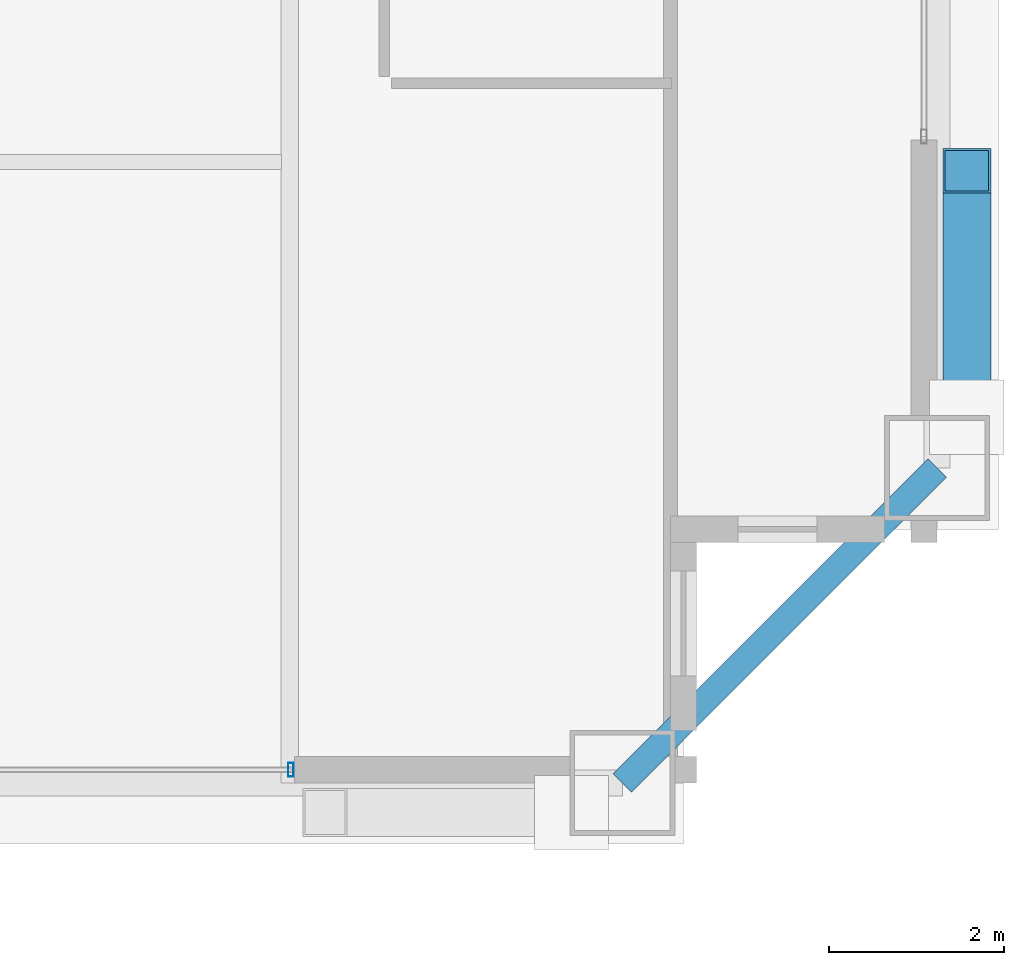
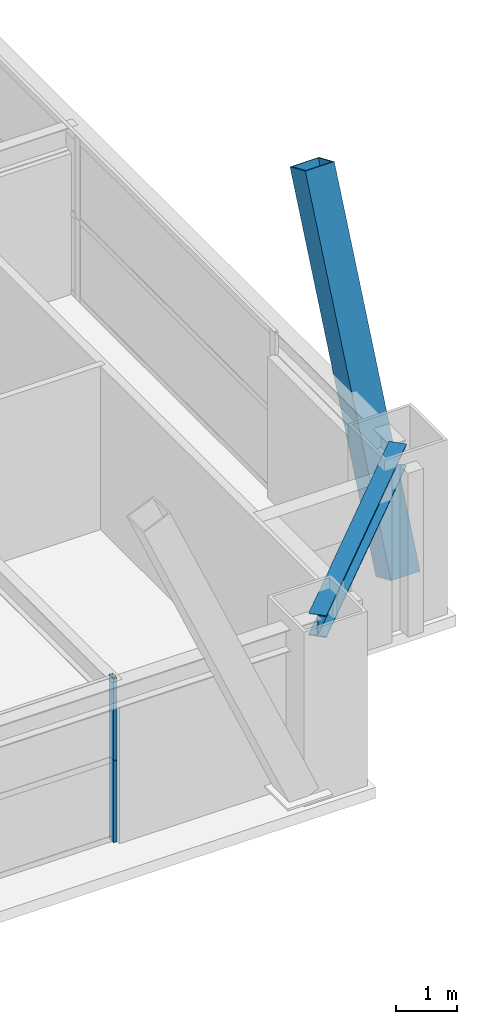
# One storey, part 13 of 34: 3 members, 1 beam, 1 element without a shape of its own.
"""IFC4 building model written with IfcOpenShell, lengths in metres."""

from ifc_helpers import new_model, si_unit, direction, frame, origin, origin_2d, place, context, subcontext, project, spatial, hollow_rectangle, i_section, extrude, source, transform, mapped, material, layer, layer_set, material_profile, profile_set, type_object, element, aggregate, save


model = new_model("IFC4")

# Units and contexts
model_context = context("Model", 3, precision=1e-05, world=origin(), true_north=direction((0.0, 1.0)))
body_context = subcontext(model_context, "Body", "Model", "MODEL_VIEW")
ifc_project = project(units=[si_unit("LENGTHUNIT", "METRE"), si_unit("AREAUNIT", "SQUARE_METRE"), si_unit("VOLUMEUNIT", "CUBIC_METRE"), si_unit("PLANEANGLEUNIT", "RADIAN"), si_unit("MASSUNIT", "GRAM", prefix="KILO"), si_unit("THERMODYNAMICTEMPERATUREUNIT", "KELVIN"), si_unit("POWERUNIT", "WATT")], contexts=[model_context])

# Site, building, storey
site_placement = place(None, origin())
site = spatial("IfcSite", under=ifc_project, at=site_placement, CompositionType="ELEMENT")
building_placement = place(site_placement, origin())
building = spatial("IfcBuilding", under=site, at=building_placement, Name="Yuzanri Waterfront Tower", CompositionType="ELEMENT")
storey_placement = place(building_placement, frame((0.0, 0.0, 241.60009765625)))
storey = spatial("IfcBuildingStorey", under=building, at=storey_placement, Name="L64", CompositionType="ELEMENT", Elevation=241.60009765625)

# Beam
ifc_material_1 = material(Name="Steel Q355B", Category="steel")
ifc_material_profile_1 = material_profile(ifc_material_1, i_section(OverallWidth=0.300048828125, OverallDepth=0.43994140625, WebThickness=0.010986328125, FlangeThickness=0.01806640625, at=origin_2d()), Name="HM 440x300x11x18")
ifc_profile_set_1 = profile_set([ifc_material_profile_1], Name="Steel Q355B")
beam_type = type_object("IfcBeamType", Name="Perimeter Spandrel Q355B HM 440x300", PredefinedType="SPANDREL", material=ifc_profile_set_1)
shared_shape_1 = source(origin(), body_context, "Body", "SweptSolid", [
    extrude(i_section(OverallWidth=0.300048828125, OverallDepth=0.43994140625, WebThickness=0.010986328125, FlangeThickness=0.01806640625, at=origin_2d()), origin(), (0.0, 0.0, 1.0), 5.09130859375),
])
beam_placement = place(storey_placement, frame((54.0, 5.199951171875, 3.059814453125), z_axis=(0.707106781187, 0.707106781187, 0.0), x_axis=(-0.707106781187, 0.707106781187, 0.0)))
element("IfcBeam", 1, at=beam_placement, inside=storey, type_object=beam_type, Name="L64 Perimeter Spandrel S3-E1", PredefinedType="SPANDREL", context=body_context, shape_type="MappedRepresentation", body=[
    mapped(shared_shape_1, transform((0.0, 0.0, 0.0), scale=1.0)),
])

# Member
ifc_material_2 = material(Name="Steel Q390GJC", Category="steel")
ifc_material_profile_2 = material_profile(ifc_material_2, hollow_rectangle(XDim=0.550048828125, YDim=0.550048828125, WallThickness=0.02490234375, at=origin_2d()), Name="RHS 550x550x25")
ifc_profile_set_2 = profile_set([ifc_material_profile_2], Name="Steel Q390GJC")
member_type_1 = type_object("IfcMemberType", Name="Mega Brace Mid Q390GJC RHS 550x550x25", PredefinedType="BRACE", material=ifc_profile_set_2)
shared_shape_2 = source(origin(), body_context, "Body", "SweptSolid", [
    extrude(hollow_rectangle(XDim=0.550048828125, YDim=0.550048828125, WallThickness=0.02490234375, at=origin_2d()), origin(), (0.0, 0.0, 1.0), 7.08544921875),
])
member_1_placement = place(storey_placement, frame((57.93994140625, 9.3798828125, 0.179931640625), z_axis=(0.0, 0.398011598745, 0.917380383082), x_axis=(-1.0, 0.0, 0.0)))
element("IfcMember", 2, at=member_1_placement, inside=storey, type_object=member_type_1, Name="L64-L65 Perimeter Mega-Brace E-L", PredefinedType="BRACE", context=body_context, shape_type="MappedRepresentation", body=[
    mapped(shared_shape_2, transform((0.0, 0.0, 0.0), scale=1.0)),
])

# Curtain wall, members
ifc_material_3 = material(Name="Anodized Architectural Bronze", Category="metal")
ifc_layer = layer(ifc_material_3, 0.159912109375)
ifc_layer_set = layer_set([ifc_layer], Name="Anodized Architectural Bronze")
curtain_wall_type = type_object("IfcCurtainWallType", Name="Anodized Bronze Mid-Rise Residential Acoustic Unitized Curtain Wall 7200", PredefinedType="NOTDEFINED", material=ifc_layer_set)
curtain_wall_placement = place(storey_placement, origin())
curtain_wall = element("IfcCurtainWall", 3, at=curtain_wall_placement, inside=storey, type_object=curtain_wall_type, Name="L64 Curtain Wall CW-L64-SR", PredefinedType="NOTDEFINED")
ifc_material_4 = material(Name="Anodized Architectural Bronze", Category="metal")
ifc_material_profile_3 = material_profile(ifc_material_4, hollow_rectangle(XDim=0.06494140625, YDim=0.159912109375, WallThickness=0.00341796875, at=origin_2d()), Name="CWM 65x160")
ifc_profile_set_3 = profile_set([ifc_material_profile_3], Name="Anodized Architectural Bronze")
member_type_2 = type_object("IfcMemberType", Name="Anodized Bronze Upper-Zone Curtain-Wall Mullion 65x160", PredefinedType="MULLION", material=ifc_profile_set_3)
shared_shape_3 = source(origin(), body_context, "Body", "SweptSolid", [
    extrude(hollow_rectangle(XDim=0.06494140625, YDim=0.159912109375, WallThickness=0.00341796875, at=origin_2d()), origin(), (0.0, 0.0, 1.0), 1.637939453125),
])
member_2_placement = place(storey_placement, frame((50.2099609375, 5.35009765625, 0.0), z_axis=(0.0, 0.0, 1.0), x_axis=(1.0, 0.0, 0.0)))
member_2 = element("IfcMember", 4, at=member_2_placement, type_object=member_type_2, Name="CW-L64-SR Lower Mullion 02", PredefinedType="MULLION", context=body_context, shape_type="MappedRepresentation", body=[
    mapped(shared_shape_3, transform((0.0, 0.0, 0.0), scale=1.0)),
])
member_3_placement = place(storey_placement, frame((50.2099609375, 5.35009765625, 1.641845703125), z_axis=(0.0, 0.0, 1.0), x_axis=(1.0, 0.0, 0.0)))
member_3 = element("IfcMember", 5, at=member_3_placement, type_object=member_type_2, Name="CW-L64-SR Upper Mullion 02", PredefinedType="MULLION", context=body_context, shape_type="MappedRepresentation", body=[
    mapped(shared_shape_3, transform((0.0, 0.0, 0.0), scale=1.0)),
])
aggregate(curtain_wall, [member_2, member_3])

save(model, "model.ifc")
